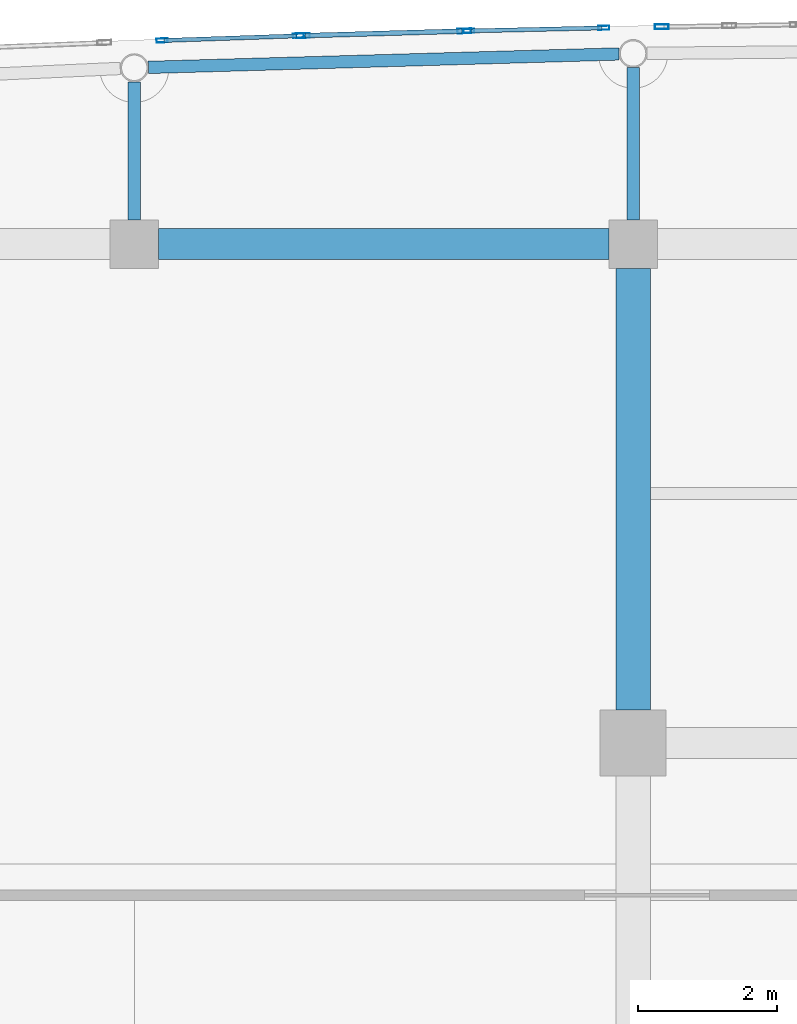
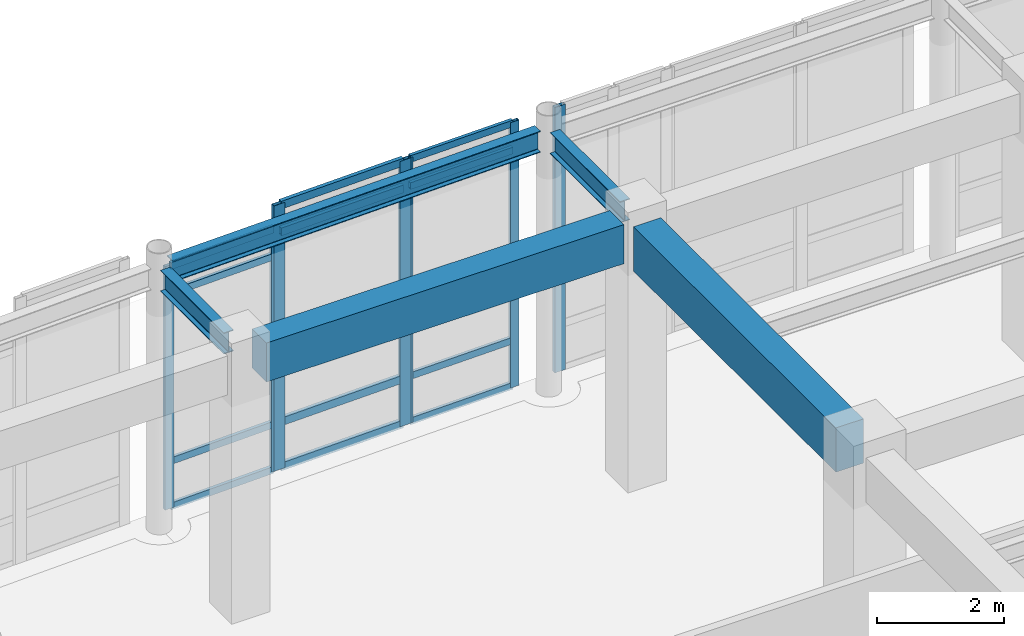
# One storey, part 42 of 102: 19 members, 5 beams, 4 elements without a shape of their own.
"""IFC4 building model written with IfcOpenShell, lengths in metres."""

from ifc_helpers import new_model, si_unit, direction, frame, origin, origin_2d, place, context, subcontext, project, spatial, rectangle, hollow_rectangle, i_section, extrude, material, layer, layer_set, material_profile, profile_set, type_object, element, aggregate, save


model = new_model("IFC4")

# Units and contexts
model_context = context("Model", 3, precision=1e-05, world=origin(), true_north=direction((0.0, 1.0)))
body_context = subcontext(model_context, "Body", "Model", "MODEL_VIEW")
ifc_project = project(units=[si_unit("LENGTHUNIT", "METRE"), si_unit("AREAUNIT", "SQUARE_METRE"), si_unit("VOLUMEUNIT", "CUBIC_METRE"), si_unit("PLANEANGLEUNIT", "RADIAN"), si_unit("MASSUNIT", "GRAM", prefix="KILO")], contexts=[model_context])

# Site, building, storey
site_placement = place(None, origin())
site = spatial("IfcSite", under=ifc_project, at=site_placement, CompositionType="ELEMENT")
building_placement = place(site_placement, origin())
building = spatial("IfcBuilding", under=site, at=building_placement, Name="Carrowvane Square Congress Hotel", CompositionType="ELEMENT")
storey_placement = place(building_placement, origin())
storey = spatial("IfcBuildingStorey", under=building, at=storey_placement, Name="L00", CompositionType="ELEMENT", Elevation=0.0)

# Beams
ifc_material_1 = material(Name="Concrete C35/45", Category="concrete")
ifc_material_profile_1 = material_profile(ifc_material_1, rectangle(XDim=0.449951171875, YDim=0.75, at=origin_2d()), Name="RC 450x750")
ifc_profile_set_1 = profile_set([ifc_material_profile_1], Name="Concrete C35/45")
beam_type_1 = type_object("IfcBeamType", Name="BM-RC-450x750", PredefinedType="USERDEFINED", material=ifc_profile_set_1)
beam_1_placement = place(storey_placement, frame((83.949951171875, 113.39990234375, 4.72509765625), z_axis=(1.0, 0.0, 0.0), x_axis=(0.0, 1.0, 0.0)))
element("IfcBeam", 1, at=beam_1_placement, inside=storey, type_object=beam_type_1, Name="L01 girder R/11-12", ObjectType="GIRDER", PredefinedType="USERDEFINED", context=body_context, shape_type="SweptSolid", body=[
    extrude(rectangle(XDim=0.449951171875, YDim=0.75, at=origin_2d()), origin(), (0.0, 0.0, 1.0), 6.5),
])
ifc_material_2 = material(Name="Concrete C35/45", Category="concrete")
ifc_material_profile_2 = material_profile(ifc_material_2, rectangle(XDim=0.5, YDim=0.85009765625, at=origin_2d()), Name="RC 500x850")
ifc_profile_set_2 = profile_set([ifc_material_profile_2], Name="Concrete C35/45")
beam_type_2 = type_object("IfcBeamType", Name="BM-RC-500x850", PredefinedType="USERDEFINED", material=ifc_profile_set_2)
beam_2_placement = place(storey_placement, frame((90.800048828125, 106.675048828125, 4.675048828125), z_axis=(0.0, 1.0, 0.0), x_axis=(-1.0, 0.0, 0.0)))
element("IfcBeam", 2, at=beam_2_placement, inside=storey, type_object=beam_type_2, Name="L01 girder 12/Q-R", ObjectType="GIRDER", PredefinedType="USERDEFINED", context=body_context, shape_type="SweptSolid", body=[
    extrude(rectangle(XDim=0.5, YDim=0.85009765625, at=origin_2d()), origin(), (0.0, 0.0, 1.0), 6.375),
])
ifc_material_3 = material(Name="Steel S355", Category="steel")
ifc_material_profile_3 = material_profile(ifc_material_3, i_section(OverallWidth=0.1787109375, OverallDepth=0.409423828125, WebThickness=0.0087890625, FlangeThickness=0.014404296875, FilletRadius=0.01025390625, at=origin_2d()), Name="UKB 406x178x67")
ifc_profile_set_3 = profile_set([ifc_material_profile_3], Name="Steel S355")
beam_type_3 = type_object("IfcBeamType", Name="BM-ST-UKB406", PredefinedType="BEAM", material=ifc_profile_set_3)
beam_3_placement = place(storey_placement, frame((83.80322265625, 115.94970703125, 4.895263671875), z_axis=(0.999591118992, 0.02859361522, 0.0), x_axis=(-0.02859361522, 0.999591118992, 0.0)))
element("IfcBeam", 3, at=beam_3_placement, inside=storey, type_object=beam_type_3, Name="L01 curved north spandrel", PredefinedType="BEAM", context=body_context, shape_type="SweptSolid", body=[
    extrude(i_section(OverallWidth=0.1787109375, OverallDepth=0.409423828125, WebThickness=0.0087890625, FlangeThickness=0.014404296875, FilletRadius=0.01025390625, at=origin_2d()), origin(), (0.0, 0.0, 1.0), 6.79638671875),
])
beam_4_placement = place(storey_placement, frame((83.60009765625, 113.75, 4.895263671875), z_axis=(0.0, 1.0, 0.0), x_axis=(-1.0, 0.0, 0.0)))
element("IfcBeam", 4, at=beam_4_placement, inside=storey, type_object=beam_type_3, Name="L01 radial north beam 11", PredefinedType="BEAM", context=body_context, shape_type="SweptSolid", body=[
    extrude(i_section(OverallWidth=0.1787109375, OverallDepth=0.409423828125, WebThickness=0.0087890625, FlangeThickness=0.014404296875, FilletRadius=0.01025390625, at=origin_2d()), origin(), (0.0, 0.0, 1.0), 1.99072265625),
])
beam_5_placement = place(storey_placement, frame((90.800048828125, 113.75, 4.895263671875), z_axis=(0.0, 1.0, 0.0), x_axis=(-1.0, 0.0, 0.0)))
element("IfcBeam", 5, at=beam_5_placement, inside=storey, type_object=beam_type_3, Name="L01 radial north beam 12", PredefinedType="BEAM", context=body_context, shape_type="SweptSolid", body=[
    extrude(i_section(OverallWidth=0.1787109375, OverallDepth=0.409423828125, WebThickness=0.0087890625, FlangeThickness=0.014404296875, FilletRadius=0.01025390625, at=origin_2d()), origin(), (0.0, 0.0, 1.0), 2.196533203125),
])

# Curtain wall, members
ifc_material_4 = material(Name="Anodised aluminium", Category="aluminium")
ifc_layer_1 = layer(ifc_material_4, 0.2099609375)
ifc_layer_set_1 = layer_set([ifc_layer_1], Name="Anodised aluminium")
curtain_wall_type_1 = type_object("IfcCurtainWallType", Name="CW-SYS-5", PredefinedType="NOTDEFINED", material=ifc_layer_set_1)
curtain_wall_1_placement = place(storey_placement, origin())
curtain_wall_1 = element("IfcCurtainWall", 6, at=curtain_wall_1_placement, inside=storey, type_object=curtain_wall_type_1, Name="L00 unitised curtain wall 20", PredefinedType="NOTDEFINED")
ifc_material_5 = material(Name="Anodised aluminium", Category="aluminium")
ifc_material_profile_4 = material_profile(ifc_material_5, hollow_rectangle(XDim=0.06005859375, YDim=0.159912109375, WallThickness=0.00390625, at=origin_2d()), Name="CW-ML 60x160x4")
ifc_profile_set_4 = profile_set([ifc_material_profile_4], Name="Anodised aluminium")
member_type_1 = type_object("IfcMemberType", Name="CW-MUL-1", PredefinedType="MULLION", material=ifc_profile_set_4)
member_1_placement = place(storey_placement, frame((84.00048828125, 116.337890625, 0.0), z_axis=(0.0, 0.0, 1.0), x_axis=(-0.034526729036, 0.999403774749, 0.0)))
member_1 = element("IfcMember", 7, at=member_1_placement, type_object=member_type_1, Name="CW-5 mullion 1", PredefinedType="MULLION", context=body_context, shape_type="SweptSolid", body=[
    extrude(hollow_rectangle(XDim=0.06005859375, YDim=0.159912109375, WallThickness=0.00390625, at=origin_2d()), origin(), (0.0, 0.0, 1.0), 4.675537109375),
])
member_2_placement = place(storey_placement, frame((85.969970703125, 116.406005859375, 0.0), z_axis=(0.0, 0.0, 1.0), x_axis=(-0.034526729036, 0.999403774749, 0.0)))
member_2 = element("IfcMember", 8, at=member_2_placement, type_object=member_type_1, Name="CW-5 mullion 2", PredefinedType="MULLION", context=body_context, shape_type="SweptSolid", body=[
    extrude(hollow_rectangle(XDim=0.06005859375, YDim=0.159912109375, WallThickness=0.00390625, at=origin_2d()), origin(), (0.0, 0.0, 1.0), 4.675537109375),
])

ifc_material_6 = material(Name="Anodised aluminium", Category="aluminium")
ifc_layer_2 = layer(ifc_material_6, 0.23388671875)
ifc_layer_set_2 = layer_set([ifc_layer_2], Name="Anodised aluminium")
curtain_wall_type_2 = type_object("IfcCurtainWallType", Name="CW-SYS-7", PredefinedType="NOTDEFINED", material=ifc_layer_set_2)
curtain_wall_2_placement = place(storey_placement, origin())
curtain_wall_2 = element("IfcCurtainWall", 9, at=curtain_wall_2_placement, inside=storey, type_object=curtain_wall_type_2, Name="L00 unitised curtain wall 22", PredefinedType="NOTDEFINED")
member_3_placement = place(storey_placement, frame((88.429931640625, 116.476318359375, 0.0), z_axis=(0.0, 0.0, 1.0), x_axis=(-0.022517686606, 0.99974644475, 0.0)))
member_3 = element("IfcMember", 10, at=member_3_placement, type_object=member_type_1, Name="CW-7 mullion 1", PredefinedType="MULLION", context=body_context, shape_type="SweptSolid", body=[
    extrude(hollow_rectangle(XDim=0.06005859375, YDim=0.159912109375, WallThickness=0.00390625, at=origin_2d()), origin(), (0.0, 0.0, 1.0), 5.10009765625),
])
member_4_placement = place(storey_placement, frame((90.377685546875, 116.520263671875, 0.0), z_axis=(0.0, 0.0, 1.0), x_axis=(-0.022517686606, 0.99974644475, 0.0)))
member_4 = element("IfcMember", 11, at=member_4_placement, type_object=member_type_1, Name="CW-7 mullion 2", PredefinedType="MULLION", context=body_context, shape_type="SweptSolid", body=[
    extrude(hollow_rectangle(XDim=0.06005859375, YDim=0.159912109375, WallThickness=0.00390625, at=origin_2d()), origin(), (0.0, 0.0, 1.0), 5.10009765625),
])

ifc_material_7 = material(Name="Anodised aluminium", Category="aluminium")
ifc_layer_3 = layer(ifc_material_7, 0.221923828125)
ifc_layer_set_3 = layer_set([ifc_layer_3], Name="Anodised aluminium")
curtain_wall_type_3 = type_object("IfcCurtainWallType", Name="CW-SYS-6", PredefinedType="NOTDEFINED", material=ifc_layer_set_3)
curtain_wall_3_placement = place(storey_placement, origin())
curtain_wall_3 = element("IfcCurtainWall", 12, at=curtain_wall_3_placement, inside=storey, type_object=curtain_wall_type_3, Name="L00 unitised curtain wall 21", PredefinedType="NOTDEFINED")
ifc_material_8 = material(Name="Anodised aluminium", Category="aluminium")
ifc_material_profile_5 = material_profile(ifc_material_8, hollow_rectangle(XDim=0.070068359375, YDim=0.199951171875, WallThickness=0.0048828125, at=origin_2d()), Name="CW-ML 70x200x5")
ifc_profile_set_5 = profile_set([ifc_material_profile_5], Name="Anodised aluminium")
member_type_2 = type_object("IfcMemberType", Name="CW-MUL-2", PredefinedType="MULLION", material=ifc_profile_set_5)
member_5_placement = place(storey_placement, frame((86.034912109375, 116.407958984375, 0.0), z_axis=(0.0, 0.0, 1.0), x_axis=(-0.028638010501, 0.999589848065, 0.0)))
member_5 = element("IfcMember", 13, at=member_5_placement, type_object=member_type_2, Name="CW-6 mullion 1", PredefinedType="MULLION", context=body_context, shape_type="SweptSolid", body=[
    extrude(hollow_rectangle(XDim=0.070068359375, YDim=0.199951171875, WallThickness=0.0048828125, at=origin_2d()), origin(), (0.0, 0.0, 1.0), 5.10009765625),
])
member_6_placement = place(storey_placement, frame((88.364990234375, 116.474609375, 0.0), z_axis=(0.0, 0.0, 1.0), x_axis=(-0.028638010501, 0.999589848065, 0.0)))
member_6 = element("IfcMember", 14, at=member_6_placement, type_object=member_type_2, Name="CW-6 mullion 2", PredefinedType="MULLION", context=body_context, shape_type="SweptSolid", body=[
    extrude(hollow_rectangle(XDim=0.070068359375, YDim=0.199951171875, WallThickness=0.0048828125, at=origin_2d()), origin(), (0.0, 0.0, 1.0), 5.10009765625),
])

# Curtain wall, member
ifc_material_9 = material(Name="Anodised aluminium", Category="aluminium")
ifc_layer_4 = layer(ifc_material_9, 0.24609375)
ifc_layer_set_4 = layer_set([ifc_layer_4], Name="Anodised aluminium")
curtain_wall_type_4 = type_object("IfcCurtainWallType", Name="CW-SYS-8", PredefinedType="NOTDEFINED", material=ifc_layer_set_4)
curtain_wall_4_placement = place(storey_placement, origin())
curtain_wall_4 = element("IfcCurtainWall", 15, at=curtain_wall_4_placement, inside=storey, type_object=curtain_wall_type_4, Name="L00 unitised curtain wall 23", PredefinedType="NOTDEFINED")
member_7_placement = place(storey_placement, frame((91.212646484375, 116.536376953125, 0.0), z_axis=(0.0, 0.0, 1.0), x_axis=(-0.016215981364, 0.99986851233, 0.0)))
member_7 = element("IfcMember", 16, at=member_7_placement, type_object=member_type_2, Name="CW-8 mullion 1", PredefinedType="MULLION", context=body_context, shape_type="SweptSolid", body=[
    extrude(hollow_rectangle(XDim=0.070068359375, YDim=0.199951171875, WallThickness=0.0048828125, at=origin_2d()), origin(), (0.0, 0.0, 1.0), 5.10009765625),
])
aggregate(curtain_wall_4, [member_7])

# Member
ifc_material_10 = material(Name="Anodised aluminium", Category="aluminium")
ifc_material_profile_6 = material_profile(ifc_material_10, hollow_rectangle(XDim=0.06005859375, YDim=0.1298828125, WallThickness=0.00390625, at=origin_2d()), Name="CW-TR 60x130x4")
ifc_profile_set_6 = profile_set([ifc_material_profile_6], Name="Anodised aluminium")
member_type_3 = type_object("IfcMemberType", Name="CW-TRN-1", PredefinedType="USERDEFINED", material=ifc_profile_set_6)
member_8_placement = place(storey_placement, frame((84.030517578125, 116.3388671875, 0.030029296875), z_axis=(0.999404632698, 0.034501886054, 0.0), x_axis=(-0.034501886054, 0.999404632698, 0.0)))
member_8 = element("IfcMember", 17, at=member_8_placement, type_object=member_type_3, Name="CW-5 transom 1.1", ObjectType="TRANSOM", PredefinedType="USERDEFINED", context=body_context, shape_type="SweptSolid", body=[
    extrude(hollow_rectangle(XDim=0.06005859375, YDim=0.1298828125, WallThickness=0.00390625, at=origin_2d()), origin(), (0.0, 0.0, 1.0), 1.91064453125),
])

member_9_placement = place(storey_placement, frame((84.030517578125, 116.3388671875, 0.89990234375), z_axis=(0.999404632698, 0.034501886054, 0.0), x_axis=(-0.034501886054, 0.999404632698, 0.0)))
member_9 = element("IfcMember", 18, at=member_9_placement, type_object=member_type_3, Name="CW-5 transom 1.2", ObjectType="TRANSOM", PredefinedType="USERDEFINED", context=body_context, shape_type="SweptSolid", body=[
    extrude(hollow_rectangle(XDim=0.06005859375, YDim=0.1298828125, WallThickness=0.00390625, at=origin_2d()), origin(), (0.0, 0.0, 1.0), 1.91064453125),
])

member_10_placement = place(storey_placement, frame((84.030517578125, 116.3388671875, 4.12548828125), z_axis=(0.999404632698, 0.034501886054, 0.0), x_axis=(-0.034501886054, 0.999404632698, 0.0)))
member_10 = element("IfcMember", 19, at=member_10_placement, type_object=member_type_3, Name="CW-5 transom 1.3", ObjectType="TRANSOM", PredefinedType="USERDEFINED", context=body_context, shape_type="SweptSolid", body=[
    extrude(hollow_rectangle(XDim=0.06005859375, YDim=0.1298828125, WallThickness=0.00390625, at=origin_2d()), origin(), (0.0, 0.0, 1.0), 1.91064453125),
])

member_11_placement = place(storey_placement, frame((84.030517578125, 116.3388671875, 4.6455078125), z_axis=(0.999404632698, 0.034501886054, 0.0), x_axis=(-0.034501886054, 0.999404632698, 0.0)))
member_11 = element("IfcMember", 20, at=member_11_placement, type_object=member_type_3, Name="CW-5 transom 1.4", ObjectType="TRANSOM", PredefinedType="USERDEFINED", context=body_context, shape_type="SweptSolid", body=[
    extrude(hollow_rectangle(XDim=0.06005859375, YDim=0.1298828125, WallThickness=0.00390625, at=origin_2d()), origin(), (0.0, 0.0, 1.0), 1.91064453125),
])

aggregate(curtain_wall_1, [member_1, member_2, member_8, member_9, member_10, member_11])

member_12_placement = place(storey_placement, frame((88.4599609375, 116.47705078125, 0.030029296875), z_axis=(0.999746883827, 0.022498183883, 0.0), x_axis=(-0.022498183883, 0.999746883827, 0.0)))
member_12 = element("IfcMember", 21, at=member_12_placement, type_object=member_type_3, Name="CW-7 transom 1.1", ObjectType="TRANSOM", PredefinedType="USERDEFINED", context=body_context, shape_type="SweptSolid", body=[
    extrude(hollow_rectangle(XDim=0.06005859375, YDim=0.1298828125, WallThickness=0.00390625, at=origin_2d()), origin(), (0.0, 0.0, 1.0), 1.88818359375),
])

member_13_placement = place(storey_placement, frame((88.4599609375, 116.47705078125, 0.89990234375), z_axis=(0.999746883827, 0.022498183883, 0.0), x_axis=(-0.022498183883, 0.999746883827, 0.0)))
member_13 = element("IfcMember", 22, at=member_13_placement, type_object=member_type_3, Name="CW-7 transom 1.2", ObjectType="TRANSOM", PredefinedType="USERDEFINED", context=body_context, shape_type="SweptSolid", body=[
    extrude(hollow_rectangle(XDim=0.06005859375, YDim=0.1298828125, WallThickness=0.00390625, at=origin_2d()), origin(), (0.0, 0.0, 1.0), 1.88818359375),
])

member_14_placement = place(storey_placement, frame((88.4599609375, 116.47705078125, 4.550048828125), z_axis=(0.999746883827, 0.022498183883, 0.0), x_axis=(-0.022498183883, 0.999746883827, 0.0)))
member_14 = element("IfcMember", 23, at=member_14_placement, type_object=member_type_3, Name="CW-7 transom 1.3", ObjectType="TRANSOM", PredefinedType="USERDEFINED", context=body_context, shape_type="SweptSolid", body=[
    extrude(hollow_rectangle(XDim=0.06005859375, YDim=0.1298828125, WallThickness=0.00390625, at=origin_2d()), origin(), (0.0, 0.0, 1.0), 1.88818359375),
])

member_15_placement = place(storey_placement, frame((88.4599609375, 116.47705078125, 5.070068359375), z_axis=(0.999746883827, 0.022498183883, 0.0), x_axis=(-0.022498183883, 0.999746883827, 0.0)))
member_15 = element("IfcMember", 24, at=member_15_placement, type_object=member_type_3, Name="CW-7 transom 1.4", ObjectType="TRANSOM", PredefinedType="USERDEFINED", context=body_context, shape_type="SweptSolid", body=[
    extrude(hollow_rectangle(XDim=0.06005859375, YDim=0.1298828125, WallThickness=0.00390625, at=origin_2d()), origin(), (0.0, 0.0, 1.0), 1.88818359375),
])

aggregate(curtain_wall_2, [member_3, member_4, member_12, member_13, member_14, member_15])

ifc_material_11 = material(Name="Anodised aluminium", Category="aluminium")
ifc_material_profile_7 = material_profile(ifc_material_11, hollow_rectangle(XDim=0.070068359375, YDim=0.14990234375, WallThickness=0.0048828125, at=origin_2d()), Name="CW-TR 70x150x5")
ifc_profile_set_7 = profile_set([ifc_material_profile_7], Name="Anodised aluminium")
member_type_4 = type_object("IfcMemberType", Name="CW-TRN-2", PredefinedType="USERDEFINED", material=ifc_profile_set_7)
member_16_placement = place(storey_placement, frame((86.070068359375, 116.408935546875, 0.034912109375), z_axis=(0.999590499539, 0.028615262221, 0.0), x_axis=(-0.028615262221, 0.999590499539, 0.0)))
member_16 = element("IfcMember", 25, at=member_16_placement, type_object=member_type_4, Name="CW-6 transom 1.1", ObjectType="TRANSOM", PredefinedType="USERDEFINED", context=body_context, shape_type="SweptSolid", body=[
    extrude(hollow_rectangle(XDim=0.070068359375, YDim=0.14990234375, WallThickness=0.0048828125, at=origin_2d()), origin(), (0.0, 0.0, 1.0), 2.260986328125),
])

member_17_placement = place(storey_placement, frame((86.070068359375, 116.408935546875, 0.89990234375), z_axis=(0.999590499539, 0.028615262221, 0.0), x_axis=(-0.028615262221, 0.999590499539, 0.0)))
member_17 = element("IfcMember", 26, at=member_17_placement, type_object=member_type_4, Name="CW-6 transom 1.2", ObjectType="TRANSOM", PredefinedType="USERDEFINED", context=body_context, shape_type="SweptSolid", body=[
    extrude(hollow_rectangle(XDim=0.070068359375, YDim=0.14990234375, WallThickness=0.0048828125, at=origin_2d()), origin(), (0.0, 0.0, 1.0), 2.260986328125),
])

member_18_placement = place(storey_placement, frame((86.070068359375, 116.408935546875, 4.550048828125), z_axis=(0.999590499539, 0.028615262221, 0.0), x_axis=(-0.028615262221, 0.999590499539, 0.0)))
member_18 = element("IfcMember", 27, at=member_18_placement, type_object=member_type_4, Name="CW-6 transom 1.3", ObjectType="TRANSOM", PredefinedType="USERDEFINED", context=body_context, shape_type="SweptSolid", body=[
    extrude(hollow_rectangle(XDim=0.070068359375, YDim=0.14990234375, WallThickness=0.0048828125, at=origin_2d()), origin(), (0.0, 0.0, 1.0), 2.260986328125),
])

member_19_placement = place(storey_placement, frame((86.070068359375, 116.408935546875, 5.06494140625), z_axis=(0.999590499539, 0.028615262221, 0.0), x_axis=(-0.028615262221, 0.999590499539, 0.0)))
member_19 = element("IfcMember", 28, at=member_19_placement, type_object=member_type_4, Name="CW-6 transom 1.4", ObjectType="TRANSOM", PredefinedType="USERDEFINED", context=body_context, shape_type="SweptSolid", body=[
    extrude(hollow_rectangle(XDim=0.070068359375, YDim=0.14990234375, WallThickness=0.0048828125, at=origin_2d()), origin(), (0.0, 0.0, 1.0), 2.260986328125),
])

aggregate(curtain_wall_3, [member_5, member_6, member_16, member_17, member_18, member_19])

save(model, "model.ifc")
